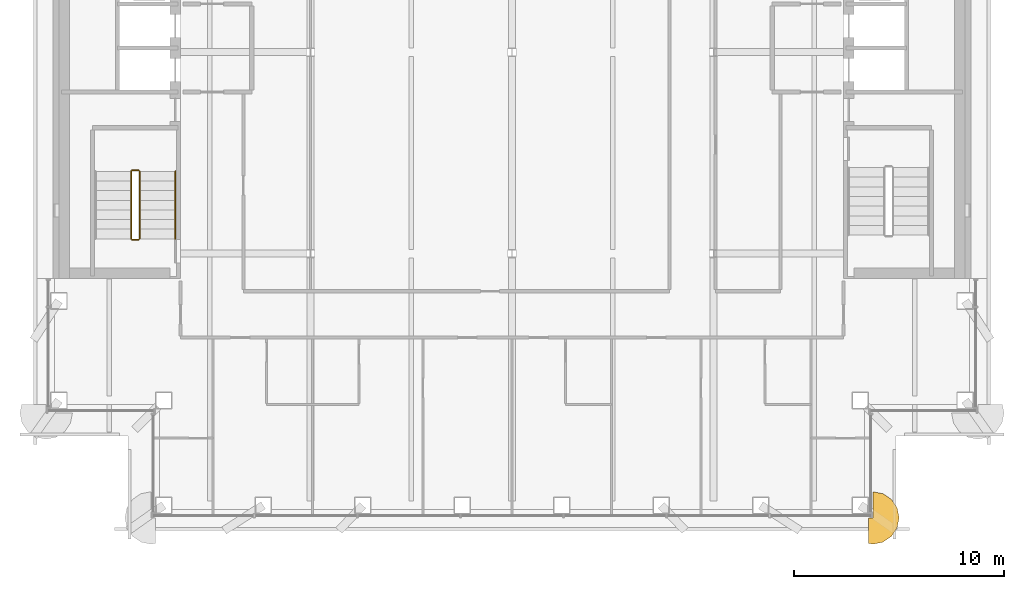
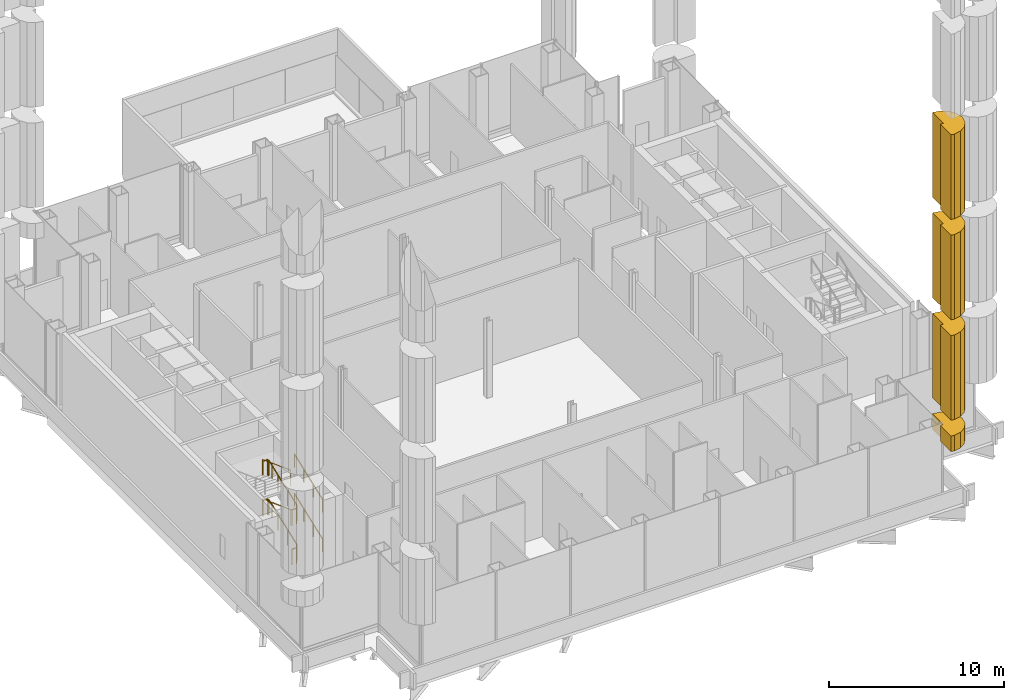
# One storey, part 16 of 22: 10 railings, 4 coverings.
"""IFC4 building model written with IfcOpenShell, lengths in metres."""

from ifc_helpers import new_model, si_unit, direction, frame, origin, origin_2d, place, context, subcontext, project, spatial, polyline, circle, outline, extrude, material, type_object, element, save


model = new_model("IFC4")

# Units and contexts
model_context = context("Model", 3, precision=1e-05, world=origin(), true_north=direction((0.0, 1.0)))
body_context = subcontext(model_context, "Body", "Model", "MODEL_VIEW")
ifc_project = project(units=[si_unit("LENGTHUNIT", "METRE"), si_unit("AREAUNIT", "SQUARE_METRE"), si_unit("VOLUMEUNIT", "CUBIC_METRE"), si_unit("PLANEANGLEUNIT", "RADIAN"), si_unit("MASSUNIT", "GRAM", prefix="KILO")], contexts=[model_context])

# Site, building, storey
site_placement = place(None, origin())
site = spatial("IfcSite", under=ifc_project, at=site_placement, CompositionType="ELEMENT")
building_placement = place(site_placement, origin())
building = spatial("IfcBuilding", under=site, at=building_placement, Name="Cobrizo Arcos Hotel Tower", CompositionType="ELEMENT")
storey_placement = place(building_placement, frame((0.0, 0.0, 142.5)))
storey = spatial("IfcBuildingStorey", under=building, at=storey_placement, Name="L36", CompositionType="ELEMENT", Elevation=142.5)

# Coverings
ifc_material_1 = material(Name="Aluminium 6063-T6 anodised pale", Category="aluminium")
covering_type = type_object("IfcCoveringType", Name="RB-2 notch bullnose roll R1250", PredefinedType="CLADDING", material=ifc_material_1)
covering_placement = place(storey_placement, frame((0.0, 0.0, 4.362548828125)))
element("IfcCovering", 1, at=covering_placement, inside=storey, type_object=covering_type, Name="Notch bullnose roll 22", PredefinedType="CLADDING", context=body_context, shape_type="SweptSolid", body=[
    extrude(outline(polyline([(18.083984375, -21.316162109375), (17.678466796875, -21.045166015625), (17.199951171875, -20.949951171875), (17.199951171875, -22.199951171875), (17.0, -22.199951171875), (17.0, -23.41015625), (17.199951171875, -23.449951171875), (17.678466796875, -23.354736328125), (18.083984375, -23.083984375), (18.354736328125, -22.678466796875), (18.449951171875, -22.199951171875), (18.354736328125, -21.7216796875), (18.083984375, -21.316162109375)])), origin(), (0.0, 0.0, 1.0), 1.08740234375),
])
for number, where, name in (
    (2, (0.0, 0.0, 6.550048828125), "Notch bullnose roll 22 part 2"),
    (3, (0.0, 0.0, 13.550048828125), "Notch bullnose roll 22 part 3"),
    (4, (0.0, 0.0, 20.550048828125), "Notch bullnose roll 22 part 4"),
):
    element("IfcCovering", number, at=place(storey_placement, frame(where)), inside=storey, type_object=covering_type, Name=name, PredefinedType="CLADDING", context=body_context, shape_type="SweptSolid", body=[
        extrude(outline(polyline([(18.083984375, -21.316162109375), (17.678466796875, -21.045166015625), (17.199951171875, -20.949951171875), (17.199951171875, -22.199951171875), (17.0, -22.199951171875), (17.0, -23.41015625), (17.199951171875, -23.449951171875), (17.678466796875, -23.354736328125), (18.083984375, -23.083984375), (18.354736328125, -22.678466796875), (18.449951171875, -22.199951171875), (18.354736328125, -21.7216796875), (18.083984375, -21.316162109375)])), origin(), (0.0, 0.0, 1.0), 5.89990234375),
    ])

# Railings
ifc_material_2 = material(Name="Stainless steel railing", Category="steel")
railing_type_1 = type_object("IfcRailingType", Name="Stair guard 1100", PredefinedType="GUARDRAIL", material=ifc_material_2)
railing_1_placement = place(storey_placement, frame((-17.75, -8.89990234375, 0.171875)))
element("IfcRailing", 5, at=railing_1_placement, inside=storey, type_object=railing_type_1, Name="L36 ST-W stair guard 1", PredefinedType="GUARDRAIL", context=body_context, shape_type="SweptSolid", body=[
    extrude(circle(Radius=0.02392578125, at=origin_2d()), frame((0.0, 0.0, 1.076171875), z_axis=(0.0, 0.936745908249, 0.350010147536), x_axis=(-1.0, 0.0, 0.0)), (0.0, 0.0, 1.0), 3.4375),
    extrude(circle(Radius=0.02099609375, at=origin_2d()), origin(), (0.0, 0.0, 1.0), 1.052001953125),
    extrude(circle(Radius=0.02099609375, at=origin_2d()), frame((0.0, 1.0732421875, 0.401123046875)), (0.0, 0.0, 1.0), 1.052001953125),
    extrude(circle(Radius=0.02099609375, at=origin_2d()), frame((0.0, 2.146728515625, 0.802001953125)), (0.0, 0.0, 1.0), 1.052001953125),
    extrude(circle(Radius=0.02099609375, at=origin_2d()), frame((0.0, 3.219970703125, 1.203125)), (0.0, 0.0, 1.0), 1.052001953125),
])
railing_2_placement = place(storey_placement, frame((-17.800048828125, -5.6298828125, 1.375)))
element("IfcRailing", 6, at=railing_2_placement, inside=storey, type_object=railing_type_1, Name="L36 ST-W stair guard 2", PredefinedType="GUARDRAIL", context=body_context, shape_type="SweptSolid", body=[
    extrude(circle(Radius=0.02392578125, at=origin_2d()), frame((0.0, 0.0, 1.076171875), z_axis=(-1.0, 0.0, 0.0), x_axis=(0.0, -1.0, 0.0)), (0.0, 0.0, 1.0), 0.300048828125),
    extrude(circle(Radius=0.02099609375, at=origin_2d()), origin(), (0.0, 0.0, 1.0), 1.052001953125),
    extrude(circle(Radius=0.02099609375, at=origin_2d()), frame((-0.300048828125, 0.0, 0.0)), (0.0, 0.0, 1.0), 1.052001953125),
])
railing_3_placement = place(storey_placement, frame((-18.14990234375, -5.679931640625, 1.546875)))
element("IfcRailing", 7, at=railing_3_placement, inside=storey, type_object=railing_type_1, Name="L36 ST-W stair guard 3", PredefinedType="GUARDRAIL", context=body_context, shape_type="SweptSolid", body=[
    extrude(circle(Radius=0.02392578125, at=origin_2d()), frame((0.0, 0.0, 1.076171875), z_axis=(0.0, -0.936745908249, 0.350010147536), x_axis=(1.0, 0.0, 0.0)), (0.0, 0.0, 1.0), 3.4375),
    extrude(circle(Radius=0.02099609375, at=origin_2d()), origin(), (0.0, 0.0, 1.0), 1.052001953125),
    extrude(circle(Radius=0.02099609375, at=origin_2d()), frame((0.0, -1.0732421875, 0.401123046875)), (0.0, 0.0, 1.0), 1.052001953125),
    extrude(circle(Radius=0.02099609375, at=origin_2d()), frame((0.0, -2.146728515625, 0.802001953125)), (0.0, 0.0, 1.0), 1.052001953125),
    extrude(circle(Radius=0.02099609375, at=origin_2d()), frame((0.0, -3.219970703125, 1.203125)), (0.0, 0.0, 1.0), 1.052001953125),
])
railing_4_placement = place(storey_placement, frame((-17.800048828125, -8.949951171875, 2.75)))
element("IfcRailing", 8, at=railing_4_placement, inside=storey, type_object=railing_type_1, Name="L36 ST-W stair guard 4", PredefinedType="GUARDRAIL", context=body_context, shape_type="SweptSolid", body=[
    extrude(circle(Radius=0.02392578125, at=origin_2d()), frame((0.0, 0.0, 1.076171875), z_axis=(-1.0, 0.0, 0.0), x_axis=(0.0, -1.0, 0.0)), (0.0, 0.0, 1.0), 0.300048828125),
    extrude(circle(Radius=0.02099609375, at=origin_2d()), origin(), (0.0, 0.0, 1.0), 1.052001953125),
    extrude(circle(Radius=0.02099609375, at=origin_2d()), frame((-0.300048828125, 0.0, 0.0)), (0.0, 0.0, 1.0), 1.052001953125),
])
railing_5_placement = place(storey_placement, frame((-17.75, -8.89990234375, 2.921875)))
element("IfcRailing", 9, at=railing_5_placement, inside=storey, type_object=railing_type_1, Name="L36 ST-W stair guard 5", PredefinedType="GUARDRAIL", context=body_context, shape_type="SweptSolid", body=[
    extrude(circle(Radius=0.02392578125, at=origin_2d()), frame((0.0, 0.0, 1.076171875), z_axis=(0.0, 0.936745908249, 0.350010147536), x_axis=(-1.0, 0.0, 0.0)), (0.0, 0.0, 1.0), 3.4375),
    extrude(circle(Radius=0.02099609375, at=origin_2d()), origin(), (0.0, 0.0, 1.0), 1.052001953125),
    extrude(circle(Radius=0.02099609375, at=origin_2d()), frame((0.0, 1.0732421875, 0.401123046875)), (0.0, 0.0, 1.0), 1.052001953125),
    extrude(circle(Radius=0.02099609375, at=origin_2d()), frame((0.0, 2.146728515625, 0.802001953125)), (0.0, 0.0, 1.0), 1.052001953125),
    extrude(circle(Radius=0.02099609375, at=origin_2d()), frame((0.0, 3.219970703125, 1.203125)), (0.0, 0.0, 1.0), 1.052001953125),
])
railing_6_placement = place(storey_placement, frame((-17.800048828125, -5.6298828125, 4.125)))
element("IfcRailing", 10, at=railing_6_placement, inside=storey, type_object=railing_type_1, Name="L36 ST-W stair guard 6", PredefinedType="GUARDRAIL", context=body_context, shape_type="SweptSolid", body=[
    extrude(circle(Radius=0.02392578125, at=origin_2d()), frame((0.0, 0.0, 1.076171875), z_axis=(-1.0, 0.0, 0.0), x_axis=(0.0, -1.0, 0.0)), (0.0, 0.0, 1.0), 0.300048828125),
    extrude(circle(Radius=0.02099609375, at=origin_2d()), origin(), (0.0, 0.0, 1.0), 1.052001953125),
    extrude(circle(Radius=0.02099609375, at=origin_2d()), frame((-0.300048828125, 0.0, 0.0)), (0.0, 0.0, 1.0), 1.052001953125),
])
railing_7_placement = place(storey_placement, frame((-18.14990234375, -5.679931640625, 4.296875)))
element("IfcRailing", 11, at=railing_7_placement, inside=storey, type_object=railing_type_1, Name="L36 ST-W stair guard 7", PredefinedType="GUARDRAIL", context=body_context, shape_type="SweptSolid", body=[
    extrude(circle(Radius=0.02392578125, at=origin_2d()), frame((0.0, 0.0, 1.076171875), z_axis=(0.0, -0.936745908249, 0.350010147536), x_axis=(1.0, 0.0, 0.0)), (0.0, 0.0, 1.0), 3.4375),
    extrude(circle(Radius=0.02099609375, at=origin_2d()), origin(), (0.0, 0.0, 1.0), 1.052001953125),
    extrude(circle(Radius=0.02099609375, at=origin_2d()), frame((0.0, -1.0732421875, 0.401123046875)), (0.0, 0.0, 1.0), 1.052001953125),
    extrude(circle(Radius=0.02099609375, at=origin_2d()), frame((0.0, -2.146728515625, 0.802001953125)), (0.0, 0.0, 1.0), 1.052001953125),
    extrude(circle(Radius=0.02099609375, at=origin_2d()), frame((0.0, -3.219970703125, 1.203125)), (0.0, 0.0, 1.0), 1.052001953125),
])
railing_8_placement = place(storey_placement, frame((-17.800048828125, -8.949951171875, 0.0)))
element("IfcRailing", 12, at=railing_8_placement, inside=storey, type_object=railing_type_1, Name="L36 ST-W stair guard 8", PredefinedType="GUARDRAIL", context=body_context, shape_type="SweptSolid", body=[
    extrude(circle(Radius=0.02392578125, at=origin_2d()), frame((0.0, 0.0, 1.076171875), z_axis=(-1.0, 0.0, 0.0), x_axis=(0.0, -1.0, 0.0)), (0.0, 0.0, 1.0), 0.300048828125),
    extrude(circle(Radius=0.02099609375, at=origin_2d()), origin(), (0.0, 0.0, 1.0), 1.052001953125),
    extrude(circle(Radius=0.02099609375, at=origin_2d()), frame((-0.300048828125, 0.0, 0.0)), (0.0, 0.0, 1.0), 1.052001953125),
])
railing_type_2 = type_object("IfcRailingType", Name="Stair handrail", PredefinedType="HANDRAIL", material=ifc_material_2)
for number, where, name in (
    (13, (-16.050048828125, -8.89990234375, 0.171875), "L36 ST-W stair handrail 1"),
    (14, (-16.050048828125, -8.89990234375, 2.921875), "L36 ST-W stair handrail 3"),
):
    element("IfcRailing", number, at=place(storey_placement, frame(where)), inside=storey, type_object=railing_type_2, Name=name, PredefinedType="HANDRAIL", context=body_context, shape_type="SweptSolid", body=[
        extrude(circle(Radius=0.02392578125, at=origin_2d()), frame((0.0, 0.0, 0.8759765625), z_axis=(0.0, 0.936745908249, 0.350010147536), x_axis=(-1.0, 0.0, 0.0)), (0.0, 0.0, 1.0), 3.4375),
        extrude(circle(Radius=0.02099609375, at=origin_2d()), origin(), (0.0, 0.0, 1.0), 0.851806640625),
        extrude(circle(Radius=0.02099609375, at=origin_2d()), frame((0.0, 1.0732421875, 0.401123046875)), (0.0, 0.0, 1.0), 0.851806640625),
        extrude(circle(Radius=0.02099609375, at=origin_2d()), frame((0.0, 2.146728515625, 0.802001953125)), (0.0, 0.0, 1.0), 0.851806640625),
        extrude(circle(Radius=0.02099609375, at=origin_2d()), frame((0.0, 3.219970703125, 1.203125)), (0.0, 0.0, 1.0), 0.851806640625),
    ])

save(model, "model.ifc")
